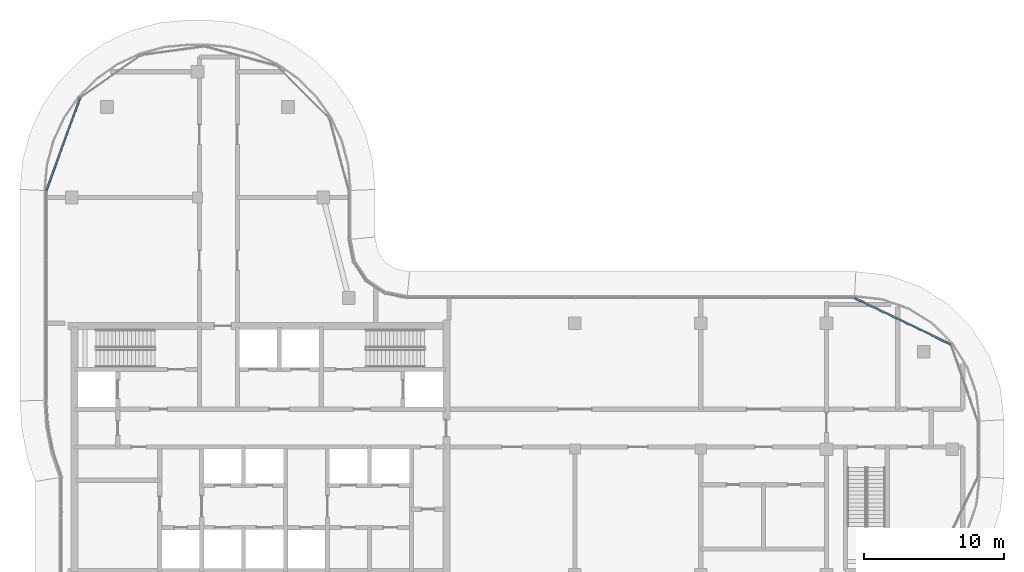
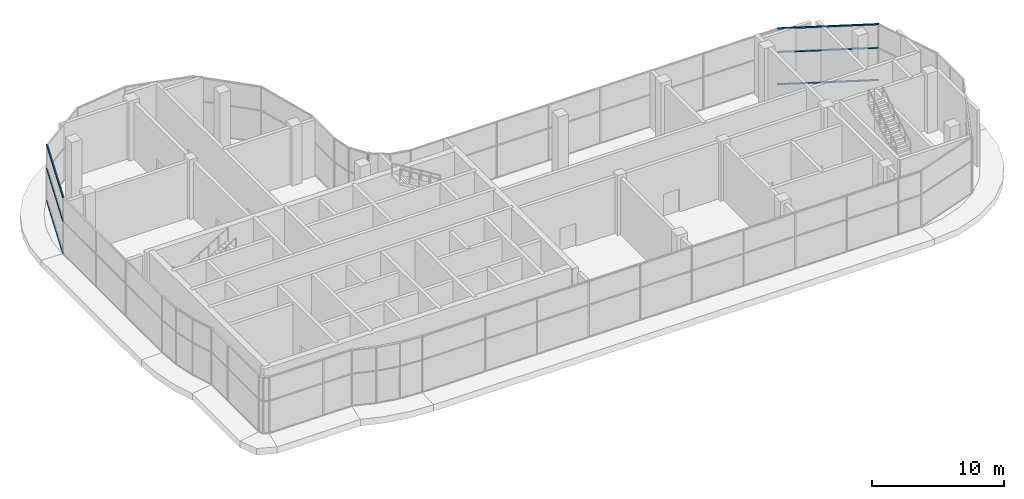
# One storey, part 8 of 23: 6 members, 2 elements without a shape of their own.
"""IFC4 building model written with IfcOpenShell, lengths in metres."""

from ifc_helpers import new_model, si_unit, direction, frame, origin, origin_2d, place, context, subcontext, project, spatial, rectangle, extrude, material, material_profile, profile_set, type_object, element, aggregate, save


model = new_model("IFC4")

# Units and contexts
model_context = context("Model", 3, precision=1e-05, world=origin(), true_north=direction((0.0, 1.0)))
body_context = subcontext(model_context, "Body", "Model", "MODEL_VIEW")
ifc_project = project(units=[si_unit("LENGTHUNIT", "METRE"), si_unit("AREAUNIT", "SQUARE_METRE"), si_unit("VOLUMEUNIT", "CUBIC_METRE"), si_unit("PLANEANGLEUNIT", "RADIAN"), si_unit("MASSUNIT", "GRAM", prefix="KILO")], contexts=[model_context])

# Site, building, storey
site_placement = place(None, origin())
site = spatial("IfcSite", under=ifc_project, at=site_placement, CompositionType="ELEMENT")
building_placement = place(site_placement, origin())
building = spatial("IfcBuilding", under=site, at=building_placement, Name="Ogive Portal Towers", CompositionType="ELEMENT")
storey_placement = place(building_placement, frame((0.0, 0.0, 249.39990234375)))
storey = spatial("IfcBuildingStorey", under=building, at=storey_placement, Name="L62", CompositionType="ELEMENT", Elevation=249.39990234375)

# Curtain wall, members
ifc_material_1 = material(Name="Glass, clear low-iron insulated glazing", Category="glass")
curtain_wall_type = type_object("IfcCurtainWallType", Name="CW OBSERVATION WALL", PredefinedType="NOTDEFINED", material=ifc_material_1)
curtain_wall_1_placement = place(storey_placement, origin())
curtain_wall_1 = element("IfcCurtainWall", 1, at=curtain_wall_1_placement, inside=storey, type_object=curtain_wall_type, Name="A:L62:f11:cwa", PredefinedType="NOTDEFINED")
ifc_material_2 = material(Name="Aluminium 6063 anodised", Category="aluminium")
ifc_material_profile = material_profile(ifc_material_2, rectangle(XDim=0.1201171875, YDim=0.06005859375, at=origin_2d()), Name="AL 120x60")
ifc_profile_set = profile_set([ifc_material_profile], Name="Aluminium 6063 anodised")
member_type = type_object("IfcMemberType", Name="CW TRANSOM 60x120", PredefinedType="USERDEFINED", material=ifc_profile_set)
member_1_placement = place(storey_placement, frame((94.393798828125, 37.991455078125, 0.030029296875), z_axis=(-0.900973105059, 0.433874940462, 0.0), x_axis=(-0.433874940462, -0.900973105059, 0.0)))
member_1 = element("IfcMember", 2, at=member_1_placement, type_object=member_type, Name="transom", ObjectType="TRANSOM", PredefinedType="USERDEFINED", context=body_context, shape_type="SweptSolid", body=[
    extrude(rectangle(XDim=0.1201171875, YDim=0.06005859375, at=origin_2d()), origin(), (0.0, 0.0, 1.0), 7.671875),
])
member_2_placement = place(storey_placement, frame((94.393798828125, 37.991455078125, 3.0), z_axis=(-0.900973105059, 0.433874940462, 0.0), x_axis=(-0.433874940462, -0.900973105059, 0.0)))
member_2 = element("IfcMember", 3, at=member_2_placement, type_object=member_type, Name="transom", ObjectType="TRANSOM", PredefinedType="USERDEFINED", context=body_context, shape_type="SweptSolid", body=[
    extrude(rectangle(XDim=0.1201171875, YDim=0.06005859375, at=origin_2d()), origin(), (0.0, 0.0, 1.0), 7.671875),
])
member_3_placement = place(storey_placement, frame((94.393798828125, 37.991455078125, 5.170166015625), z_axis=(-0.900973105059, 0.433874940462, 0.0), x_axis=(-0.433874940462, -0.900973105059, 0.0)))
member_3 = element("IfcMember", 4, at=member_3_placement, type_object=member_type, Name="transom", ObjectType="TRANSOM", PredefinedType="USERDEFINED", context=body_context, shape_type="SweptSolid", body=[
    extrude(rectangle(XDim=0.1201171875, YDim=0.06005859375, at=origin_2d()), origin(), (0.0, 0.0, 1.0), 7.671875),
])
aggregate(curtain_wall_1, [member_1, member_2, member_3])

curtain_wall_2_placement = place(storey_placement, origin())
curtain_wall_2 = element("IfcCurtainWall", 5, at=curtain_wall_2_placement, inside=storey, type_object=curtain_wall_type, Name="A:L62:f19:cwa", PredefinedType="NOTDEFINED")
member_4_placement = place(storey_placement, frame((32.099609375, 55.634033203125, 0.030029296875), z_axis=(-0.342011810874, -0.939695653508, 0.0), x_axis=(0.939695653508, -0.342011810874, 0.0)))
member_4 = element("IfcMember", 6, at=member_4_placement, type_object=member_type, Name="transom", ObjectType="TRANSOM", PredefinedType="USERDEFINED", context=body_context, shape_type="SweptSolid", body=[
    extrude(rectangle(XDim=0.1201171875, YDim=0.06005859375, at=origin_2d()), origin(), (0.0, 0.0, 1.0), 7.074951171875),
])
member_5_placement = place(storey_placement, frame((32.099609375, 55.634033203125, 3.0), z_axis=(-0.342011810874, -0.939695653508, 0.0), x_axis=(0.939695653508, -0.342011810874, 0.0)))
member_5 = element("IfcMember", 7, at=member_5_placement, type_object=member_type, Name="transom", ObjectType="TRANSOM", PredefinedType="USERDEFINED", context=body_context, shape_type="SweptSolid", body=[
    extrude(rectangle(XDim=0.1201171875, YDim=0.06005859375, at=origin_2d()), origin(), (0.0, 0.0, 1.0), 7.074951171875),
])
member_6_placement = place(storey_placement, frame((32.099609375, 55.634033203125, 5.170166015625), z_axis=(-0.342011810874, -0.939695653508, 0.0), x_axis=(0.939695653508, -0.342011810874, 0.0)))
member_6 = element("IfcMember", 8, at=member_6_placement, type_object=member_type, Name="transom", ObjectType="TRANSOM", PredefinedType="USERDEFINED", context=body_context, shape_type="SweptSolid", body=[
    extrude(rectangle(XDim=0.1201171875, YDim=0.06005859375, at=origin_2d()), origin(), (0.0, 0.0, 1.0), 7.074951171875),
])
aggregate(curtain_wall_2, [member_4, member_5, member_6])

save(model, "model.ifc")
